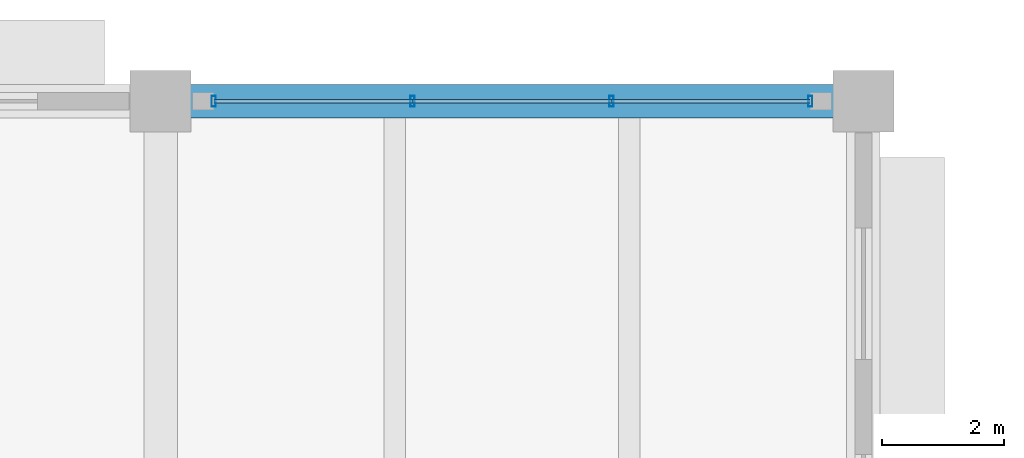
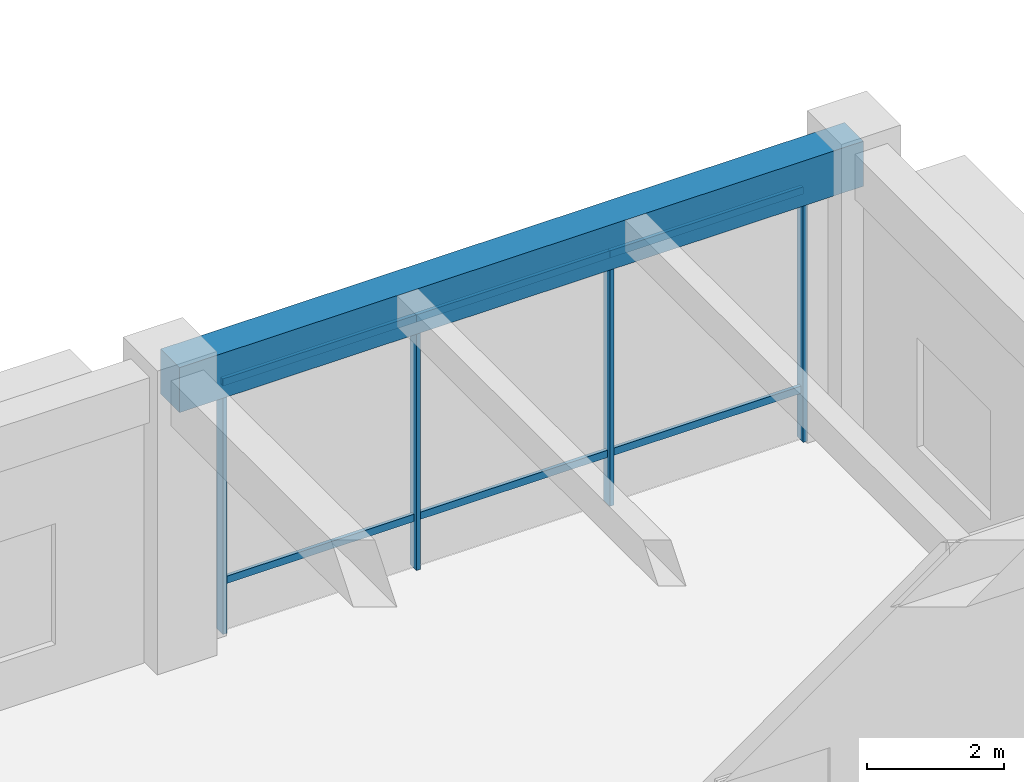
# One storey, part 59 of 148: 10 members, 1 beam, 1 element without a shape of its own.
"""IFC4 building model written with IfcOpenShell, lengths in metres."""

from ifc_helpers import new_model, si_unit, direction, frame, origin, origin_2d, place, context, subcontext, project, spatial, rectangle, hollow_rectangle, extrude, material, material_profile, profile_set, type_object, element, aggregate, save


model = new_model("IFC4")

# Units and contexts
model_context = context("Model", 3, precision=1e-05, world=origin(), true_north=direction((0.0, 1.0)))
body_context = subcontext(model_context, "Body", "Model", "MODEL_VIEW")
ifc_project = project(units=[si_unit("LENGTHUNIT", "METRE"), si_unit("AREAUNIT", "SQUARE_METRE"), si_unit("VOLUMEUNIT", "CUBIC_METRE"), si_unit("PLANEANGLEUNIT", "RADIAN"), si_unit("MASSUNIT", "GRAM", prefix="KILO")], contexts=[model_context])

# Site, building, storey
site_placement = place(None, origin())
site = spatial("IfcSite", under=ifc_project, at=site_placement, CompositionType="ELEMENT")
building_placement = place(site_placement, origin())
building = spatial("IfcBuilding", under=site, at=building_placement, Name="Ologun Quay Terminus", CompositionType="ELEMENT")
storey_placement = place(building_placement, frame((0.0, 0.0, 8.39990234375)))
storey = spatial("IfcBuildingStorey", under=building, at=storey_placement, Name="L02", CompositionType="ELEMENT", Elevation=8.39990234375)

# Beam
ifc_material_1 = material(Name="Concrete C40/50", Category="concrete")
ifc_material_profile_1 = material_profile(ifc_material_1, rectangle(XDim=0.550048828125, YDim=0.800048828125, at=origin_2d()), Name="RC 550x800")
ifc_profile_set_1 = profile_set([ifc_material_profile_1], Name="Concrete C40/50")
beam_type = type_object("IfcBeamType", Name="Courtyard Wing Primary Girder 550x800", PredefinedType="BEAM", material=ifc_profile_set_1)
beam_placement = place(storey_placement, frame((34.5, 114.800048828125, 4.75), z_axis=(1.0, 0.0, 0.0), x_axis=(0.0, 1.0, 0.0)))
element("IfcBeam", 1, at=beam_placement, inside=storey, type_object=beam_type, Name="B4 Beam 4/K L02", PredefinedType="BEAM", context=body_context, shape_type="SweptSolid", body=[
    extrude(rectangle(XDim=0.550048828125, YDim=0.800048828125, at=origin_2d()), origin(), (0.0, 0.0, 1.0), 11.5),
])

# Curtain wall, members
ifc_material_2 = material(Name="Aluminium 6063-T6", Category="aluminium")
curtain_wall_type = type_object("IfcCurtainWallType", Name="Waterfront Pavilion Harbour Curtain Wall L02 10500x5000", PredefinedType="USERDEFINED", material=ifc_material_2)
curtain_wall_placement = place(storey_placement, origin())
curtain_wall = element("IfcCurtainWall", 2, at=curtain_wall_placement, inside=storey, type_object=curtain_wall_type, Name="CW-24 Curtain Wall CW-L02-108", ObjectType="UNITISED CURTAIN WALL", PredefinedType="USERDEFINED")
ifc_material_3 = material(Name="Aluminium 6063-T6", Category="aluminium")
ifc_material_profile_2 = material_profile(ifc_material_3, hollow_rectangle(XDim=0.070068359375, YDim=0.179931640625, WallThickness=0.0048828125, at=origin_2d()), Name="ALU 180x70x5")
ifc_profile_set_2 = profile_set([ifc_material_profile_2], Name="Aluminium 6063-T6")
member_type_1 = type_object("IfcMemberType", Name="Curtain Wall Heavy Mullion 180x70", PredefinedType="MULLION", material=ifc_profile_set_2)
member_1_placement = place(storey_placement, frame((35.3701171875, 114.800048828125, 0.0), z_axis=(0.0, 0.0, 1.0), x_axis=(1.0, 0.0, 0.0)))
member_1 = element("IfcMember", 3, at=member_1_placement, type_object=member_type_1, Name="CW-L02-108 Mullion 1", PredefinedType="MULLION", context=body_context, shape_type="SweptSolid", body=[
    extrude(hollow_rectangle(XDim=0.070068359375, YDim=0.179931640625, WallThickness=0.0048828125, at=origin_2d()), origin(), (0.0, 0.0, 1.0), 5.130126953125),
])
member_2_placement = place(storey_placement, frame((38.623291015625, 114.800048828125, 0.0), z_axis=(0.0, 0.0, 1.0), x_axis=(1.0, 0.0, 0.0)))
member_2 = element("IfcMember", 4, at=member_2_placement, type_object=member_type_1, Name="CW-L02-108 Mullion 2", PredefinedType="MULLION", context=body_context, shape_type="SweptSolid", body=[
    extrude(hollow_rectangle(XDim=0.070068359375, YDim=0.179931640625, WallThickness=0.0048828125, at=origin_2d()), origin(), (0.0, 0.0, 1.0), 5.130126953125),
])
member_3_placement = place(storey_placement, frame((41.876708984375, 114.800048828125, 0.0), z_axis=(0.0, 0.0, 1.0), x_axis=(1.0, 0.0, 0.0)))
member_3 = element("IfcMember", 5, at=member_3_placement, type_object=member_type_1, Name="CW-L02-108 Mullion 3", PredefinedType="MULLION", context=body_context, shape_type="SweptSolid", body=[
    extrude(hollow_rectangle(XDim=0.070068359375, YDim=0.179931640625, WallThickness=0.0048828125, at=origin_2d()), origin(), (0.0, 0.0, 1.0), 5.130126953125),
])
member_4_placement = place(storey_placement, frame((45.1298828125, 114.800048828125, 0.0), z_axis=(0.0, 0.0, 1.0), x_axis=(1.0, 0.0, 0.0)))
member_4 = element("IfcMember", 6, at=member_4_placement, type_object=member_type_1, Name="CW-L02-108 Mullion 4", PredefinedType="MULLION", context=body_context, shape_type="SweptSolid", body=[
    extrude(hollow_rectangle(XDim=0.070068359375, YDim=0.179931640625, WallThickness=0.0048828125, at=origin_2d()), origin(), (0.0, 0.0, 1.0), 5.130126953125),
])
ifc_material_4 = material(Name="Aluminium 6063-T6", Category="aluminium")
ifc_material_profile_3 = material_profile(ifc_material_4, hollow_rectangle(XDim=0.06005859375, YDim=0.1298828125, WallThickness=0.00390625, at=origin_2d()), Name="ALU 130x60x4")
ifc_profile_set_3 = profile_set([ifc_material_profile_3], Name="Aluminium 6063-T6")
member_type_2 = type_object("IfcMemberType", Name="Curtain Wall Heavy Transom 130x60", PredefinedType="USERDEFINED", material=ifc_profile_set_3)
member_5_placement = place(storey_placement, frame((35.3701171875, 114.800048828125, 0.900146484375), z_axis=(1.0, 0.0, 0.0), x_axis=(0.0, 1.0, 0.0)))
member_5 = element("IfcMember", 7, at=member_5_placement, type_object=member_type_2, Name="CW-L02-108 Transom B1-1", ObjectType="TRANSOM", PredefinedType="USERDEFINED", context=body_context, shape_type="SweptSolid", body=[
    extrude(hollow_rectangle(XDim=0.06005859375, YDim=0.1298828125, WallThickness=0.00390625, at=origin_2d()), origin(), (0.0, 0.0, 1.0), 3.253173828125),
])
member_6_placement = place(storey_placement, frame((35.3701171875, 114.800048828125, 4.43017578125), z_axis=(1.0, 0.0, 0.0), x_axis=(0.0, 1.0, 0.0)))
member_6 = element("IfcMember", 8, at=member_6_placement, type_object=member_type_2, Name="CW-L02-108 Transom B1-2", ObjectType="TRANSOM", PredefinedType="USERDEFINED", context=body_context, shape_type="SweptSolid", body=[
    extrude(hollow_rectangle(XDim=0.06005859375, YDim=0.1298828125, WallThickness=0.00390625, at=origin_2d()), origin(), (0.0, 0.0, 1.0), 3.253173828125),
])
member_7_placement = place(storey_placement, frame((38.623291015625, 114.800048828125, 0.900146484375), z_axis=(1.0, 0.0, 0.0), x_axis=(0.0, 1.0, 0.0)))
member_7 = element("IfcMember", 9, at=member_7_placement, type_object=member_type_2, Name="CW-L02-108 Transom B2-1", ObjectType="TRANSOM", PredefinedType="USERDEFINED", context=body_context, shape_type="SweptSolid", body=[
    extrude(hollow_rectangle(XDim=0.06005859375, YDim=0.1298828125, WallThickness=0.00390625, at=origin_2d()), origin(), (0.0, 0.0, 1.0), 3.25341796875),
])
member_8_placement = place(storey_placement, frame((38.623291015625, 114.800048828125, 4.43017578125), z_axis=(1.0, 0.0, 0.0), x_axis=(0.0, 1.0, 0.0)))
member_8 = element("IfcMember", 10, at=member_8_placement, type_object=member_type_2, Name="CW-L02-108 Transom B2-2", ObjectType="TRANSOM", PredefinedType="USERDEFINED", context=body_context, shape_type="SweptSolid", body=[
    extrude(hollow_rectangle(XDim=0.06005859375, YDim=0.1298828125, WallThickness=0.00390625, at=origin_2d()), origin(), (0.0, 0.0, 1.0), 3.25341796875),
])
member_9_placement = place(storey_placement, frame((41.876708984375, 114.800048828125, 0.900146484375), z_axis=(1.0, 0.0, 0.0), x_axis=(0.0, 1.0, 0.0)))
member_9 = element("IfcMember", 11, at=member_9_placement, type_object=member_type_2, Name="CW-L02-108 Transom B3-1", ObjectType="TRANSOM", PredefinedType="USERDEFINED", context=body_context, shape_type="SweptSolid", body=[
    extrude(hollow_rectangle(XDim=0.06005859375, YDim=0.1298828125, WallThickness=0.00390625, at=origin_2d()), origin(), (0.0, 0.0, 1.0), 3.253173828125),
])
member_10_placement = place(storey_placement, frame((41.876708984375, 114.800048828125, 4.43017578125), z_axis=(1.0, 0.0, 0.0), x_axis=(0.0, 1.0, 0.0)))
member_10 = element("IfcMember", 12, at=member_10_placement, type_object=member_type_2, Name="CW-L02-108 Transom B3-2", ObjectType="TRANSOM", PredefinedType="USERDEFINED", context=body_context, shape_type="SweptSolid", body=[
    extrude(hollow_rectangle(XDim=0.06005859375, YDim=0.1298828125, WallThickness=0.00390625, at=origin_2d()), origin(), (0.0, 0.0, 1.0), 3.253173828125),
])
aggregate(curtain_wall, [member_1, member_2, member_3, member_4, member_5, member_6, member_7, member_8, member_9, member_10])

save(model, "model.ifc")
